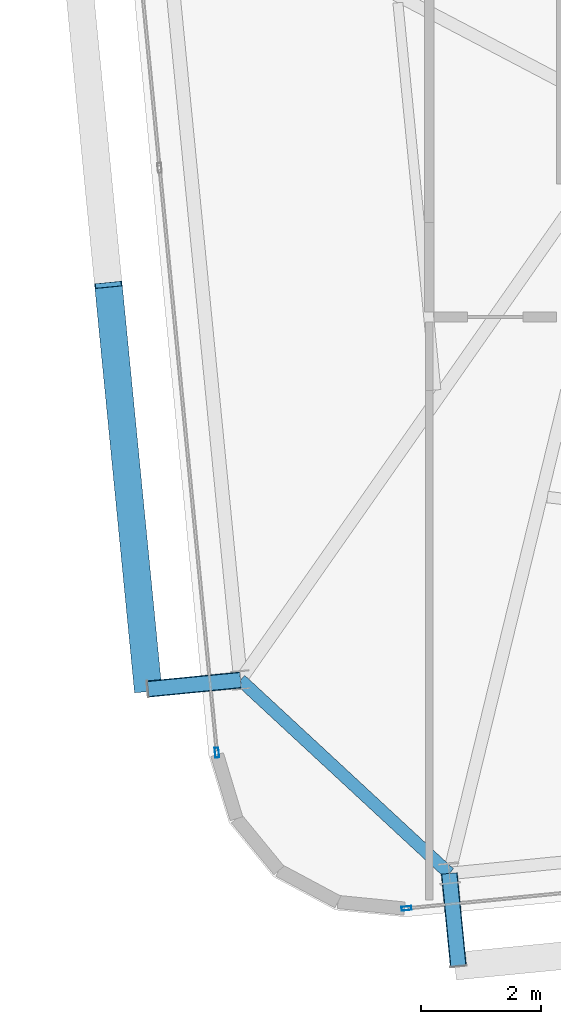
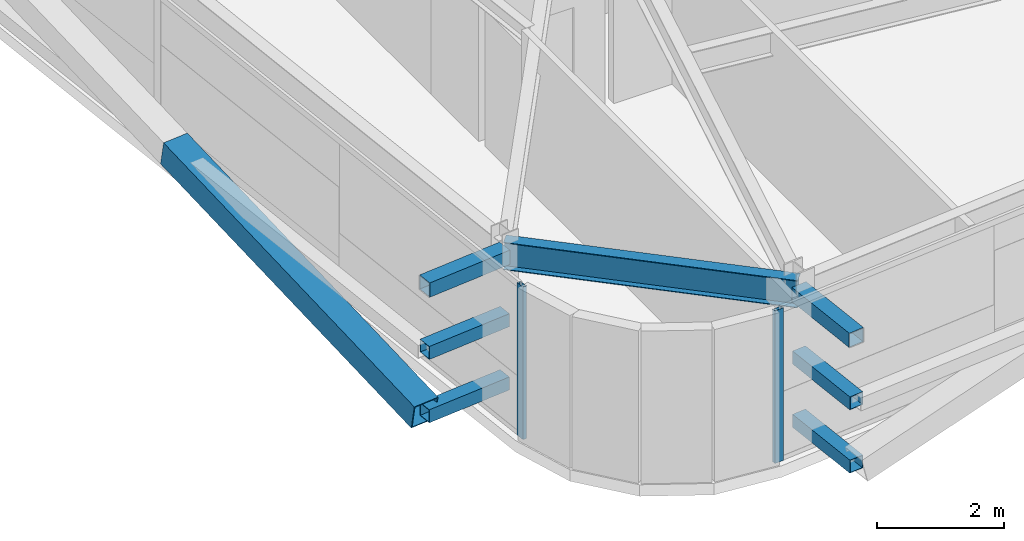
# One storey, part 5 of 47: 9 members, 1 beam, 2 elements without a shape of their own.
"""IFC4 building model written with IfcOpenShell, lengths in metres."""

from ifc_helpers import new_model, si_unit, direction, frame, origin, origin_2d, place, context, subcontext, project, spatial, hollow_rectangle, i_section, extrude, source, transform, mapped, material, layer, layer_set, material_profile, profile_set, type_object, element, aggregate, save


model = new_model("IFC4")

# Units and contexts
model_context = context("Model", 3, precision=1e-05, world=origin(), true_north=direction((0.0, 1.0)))
body_context = subcontext(model_context, "Body", "Model", "MODEL_VIEW")
ifc_project = project(units=[si_unit("LENGTHUNIT", "METRE"), si_unit("AREAUNIT", "SQUARE_METRE"), si_unit("VOLUMEUNIT", "CUBIC_METRE"), si_unit("PLANEANGLEUNIT", "RADIAN"), si_unit("MASSUNIT", "GRAM", prefix="KILO")], contexts=[model_context])

# Site, building, storey
site_placement = place(None, origin())
site = spatial("IfcSite", under=ifc_project, at=site_placement, CompositionType="ELEMENT")
building_placement = place(site_placement, origin())
building = spatial("IfcBuilding", under=site, at=building_placement, Name="Taldren Reach Tower", CompositionType="ELEMENT")
storey_placement = place(building_placement, frame((0.0, 0.0, 106.050048828125)))
storey = spatial("IfcBuildingStorey", under=building, at=storey_placement, Name="L32", CompositionType="ELEMENT", Elevation=106.050048828125)

# Beam
ifc_material_1 = material(Name="Steel Gr 350 (350PLUS)", Category="steel")
ifc_material_profile_1 = material_profile(ifc_material_1, i_section(OverallWidth=0.208984375, OverallDepth=0.528076171875, WebThickness=0.009521484375, FlangeThickness=0.01318359375, at=origin_2d()), Name="530UB82.0")
ifc_profile_set_1 = profile_set([ifc_material_profile_1], Name="Steel Gr 350 (350PLUS)")
beam_type = type_object("IfcBeamType", Name="SP-UB530B", PredefinedType="SPANDREL", material=ifc_profile_set_1)
shared_shape_1 = source(origin(), body_context, "Body", "SweptSolid", [
    extrude(i_section(OverallWidth=0.208984375, OverallDepth=0.528076171875, WebThickness=0.009521484375, FlangeThickness=0.01318359375, at=origin_2d()), origin(), (0.0, 0.0, 1.0), 4.745849609375),
])
beam_placement = place(storey_placement, frame((11.452880859375, 3.145751953125, 2.666015625), z_axis=(0.733524121458, -0.679663419083, 0.0), x_axis=(0.679663419083, 0.733524121458, 0.0)))
element("IfcBeam", 1, at=beam_placement, inside=storey, type_object=beam_type, Name="Perimeter spandrel B2 W1-S1 L32", PredefinedType="SPANDREL", context=body_context, shape_type="MappedRepresentation", body=[
    mapped(shared_shape_1, transform((0.0, 0.0, 0.0), scale=1.0)),
])

# Members
ifc_material_2 = material(Name="Steel Gr 450 (C450L0)", Category="steel")
ifc_material_profile_2 = material_profile(ifc_material_2, hollow_rectangle(XDim=0.27490234375, YDim=0.27490234375, WallThickness=0.00927734375, at=origin_2d()), Name="275x275x9.3SHS")
ifc_profile_set_2 = profile_set([ifc_material_profile_2], Name="Steel Gr 450 (C450L0)")
member_type_1 = type_object("IfcMemberType", Name="MB-TIE273", PredefinedType="STRUT", material=ifc_profile_set_2)
shared_shape_2 = source(origin(), body_context, "Body", "SweptSolid", [
    extrude(hollow_rectangle(XDim=0.27490234375, YDim=0.27490234375, WallThickness=0.00927734375, at=origin_2d()), origin(), (0.0, 0.0, 1.0), 1.550048828125),
])
for number, where, z_axis, x_axis, name in (
    (2, (14.93408203125, -0.079833984375, 2.64990234375), (0.097647892962, -0.9952210252, 0.0), (0.9952210252, 0.097647892962, 0.0), "Exoskeleton diaphragm tie strut B2-S1 L32"),
    (3, (11.452880859375, 3.145751953125, 2.64990234375), (-0.995236318924, -0.097491894511, 0.0), (0.097491894511, -0.995236318924, 0.0), "Exoskeleton diaphragm tie strut B2-W1 L32"),
):
    element("IfcMember", number, at=place(storey_placement, frame(where, z_axis=z_axis, x_axis=x_axis)), inside=storey, type_object=member_type_1, Name=name, PredefinedType="STRUT", context=body_context, shape_type="MappedRepresentation", body=[
        mapped(shared_shape_2, transform((0.0, 0.0, 0.0), scale=1.0)),
    ])
ifc_material_3 = material(Name="Steel Gr 350 (C350L0)", Category="steel")
ifc_material_profile_3 = material_profile(ifc_material_3, hollow_rectangle(XDim=0.25, YDim=0.25, WallThickness=0.010009765625, at=origin_2d()), Name="250x250x10.0SHS")
ifc_profile_set_3 = profile_set([ifc_material_profile_3], Name="Steel Gr 350 (C350L0)")
member_type_2 = type_object("IfcMemberType", Name="MB-POST250", PredefinedType="POST", material=ifc_profile_set_3)
shared_shape_3 = source(origin(), body_context, "Body", "SweptSolid", [
    extrude(hollow_rectangle(XDim=0.25, YDim=0.25, WallThickness=0.010009765625, at=origin_2d()), origin(), (0.0, 0.0, 1.0), 1.550048828125),
])
for number, where, z_axis, x_axis, name in (
    (4, (14.93408203125, -0.079833984375, 0.219970703125), (0.097647892962, -0.9952210252, 0.0), (0.9952210252, 0.097647892962, 0.0), "Exoskeleton base diaphragm tie strut B2-S1 L32"),
    (5, (11.452880859375, 3.145751953125, 0.219970703125), (-0.995236318924, -0.097491894511, 0.0), (0.097491894511, -0.995236318924, 0.0), "Exoskeleton base diaphragm tie strut B2-W1 L32"),
    (6, (14.93408203125, -0.079833984375, 1.43505859375), (0.097647892962, -0.9952210252, 0.0), (0.9952210252, 0.097647892962, 0.0), "Exoskeleton mid-tier diaphragm tie B2-S1 L32"),
    (7, (11.452880859375, 3.145751953125, 1.43505859375), (-0.995236318924, -0.097491894511, 0.0), (0.097491894511, -0.995236318924, 0.0), "Exoskeleton mid-tier diaphragm tie B2-W1 L32"),
):
    element("IfcMember", number, at=place(storey_placement, frame(where, z_axis=z_axis, x_axis=x_axis)), inside=storey, type_object=member_type_2, Name=name, PredefinedType="POST", context=body_context, shape_type="MappedRepresentation", body=[
        mapped(shared_shape_3, transform((0.0, 0.0, 0.0), scale=1.0)),
    ])
ifc_material_profile_4 = material_profile(ifc_material_2, hollow_rectangle(XDim=0.4599609375, YDim=0.4599609375, WallThickness=0.01611328125, at=origin_2d()), Name="460x460x16.0SHS")
ifc_profile_set_4 = profile_set([ifc_material_profile_4], Name="Steel Gr 450 (C450L0)")
member_type_3 = type_object("IfcMemberType", Name="MB-EXO457", PredefinedType="BRACE", material=ifc_profile_set_4)
shared_shape_4 = source(origin(), body_context, "Body", "SweptSolid", [
    extrude(hollow_rectangle(XDim=0.4599609375, YDim=0.4599609375, WallThickness=0.01611328125, at=origin_2d()), origin(), (0.0, 0.0, 1.0), 6.883056640625),
])
member_1_placement = place(storey_placement, frame((9.91015625, 2.99462890625, 0.219970703125), z_axis=(-0.09605145821, 0.97959718347, 0.176531797456), x_axis=(-0.995227290009, -0.097584021339, 0.0)))
element("IfcMember", 8, at=member_1_placement, inside=storey, type_object=member_type_3, Name="Exoskeleton Diagrid Brace B2-W1 L32", PredefinedType="BRACE", context=body_context, shape_type="MappedRepresentation", body=[
    mapped(shared_shape_4, transform((0.0, 0.0, 0.0), scale=1.0)),
])

# Curtain wall, member
ifc_material_4 = material(Name="Aluminium and Low-E Glass Unitised System", Category="aluminium")
ifc_layer = layer(ifc_material_4, 0.159912109375)
ifc_layer_set = layer_set([ifc_layer], Name="Aluminium and Low-E Glass Unitised System")
curtain_wall_type = type_object("IfcCurtainWallType", Name="CW-SYS-3", PredefinedType="NOTDEFINED", material=ifc_layer_set)
curtain_wall_1_placement = place(storey_placement, origin())
curtain_wall_1 = element("IfcCurtainWall", 9, at=curtain_wall_1_placement, inside=storey, type_object=curtain_wall_type, Name="Unitised curtain wall CW-L32-S", PredefinedType="NOTDEFINED")
ifc_material_5 = material(Name="Anodised Aluminium 6063-T6", Category="aluminium")
ifc_material_profile_5 = material_profile(ifc_material_5, hollow_rectangle(XDim=0.06494140625, YDim=0.1650390625, WallThickness=0.00390625, at=origin_2d()), Name="ALU-165x65x4RHS")
ifc_profile_set_5 = profile_set([ifc_material_profile_5], Name="Anodised Aluminium 6063-T6")
member_type_4 = type_object("IfcMemberType", Name="CW-MUL-165", PredefinedType="MULLION", material=ifc_profile_set_5)
shared_shape_5 = source(origin(), body_context, "Body", "SweptSolid", [
    extrude(hollow_rectangle(XDim=0.06494140625, YDim=0.1650390625, WallThickness=0.00390625, at=origin_2d()), origin(), (0.0, 0.0, 1.0), 2.929931640625),
])
member_2_placement = place(storey_placement, frame((14.22021484375, -0.662353515625, 0.0), z_axis=(0.0, 0.0, 1.0), x_axis=(-0.097582999046, 0.995227390247, 0.0)))
member_2 = element("IfcMember", 10, at=member_2_placement, type_object=member_type_4, Name="CW-3 mullion 1", PredefinedType="MULLION", context=body_context, shape_type="MappedRepresentation", body=[
    mapped(shared_shape_5, transform((0.0, 0.0, 0.0), scale=1.0)),
])
aggregate(curtain_wall_1, [member_2])

curtain_wall_2_placement = place(storey_placement, origin())
curtain_wall_2 = element("IfcCurtainWall", 11, at=curtain_wall_2_placement, inside=storey, type_object=curtain_wall_type, Name="Unitised curtain wall CW-L32-W", PredefinedType="NOTDEFINED")
member_3_placement = place(storey_placement, frame((11.05908203125, 1.93408203125, 0.0), z_axis=(0.0, 0.0, 1.0), x_axis=(0.99522741555, 0.09758274098, 0.0)))
member_3 = element("IfcMember", 12, at=member_3_placement, type_object=member_type_4, Name="CW-3 mullion 4", PredefinedType="MULLION", context=body_context, shape_type="MappedRepresentation", body=[
    mapped(shared_shape_5, transform((0.0, 0.0, 0.0), scale=1.0)),
])
aggregate(curtain_wall_2, [member_3])

save(model, "model.ifc")
